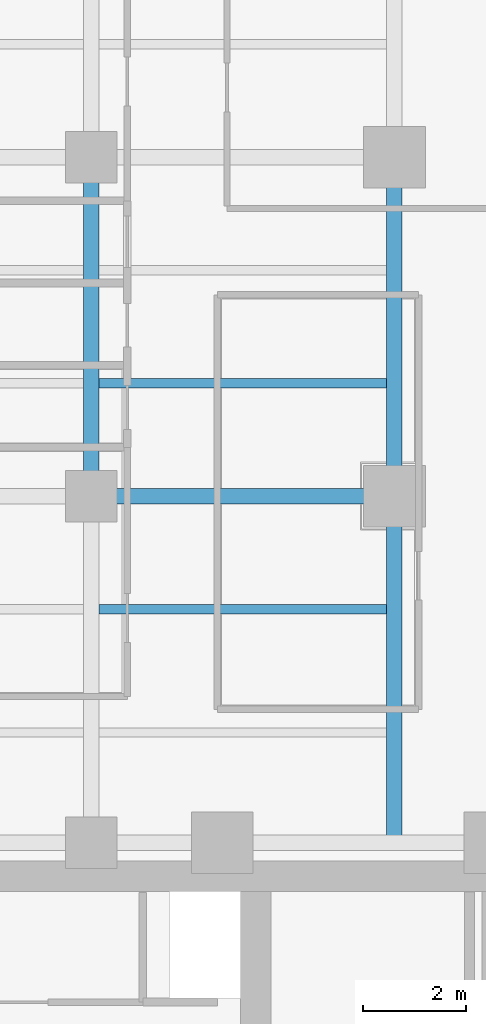
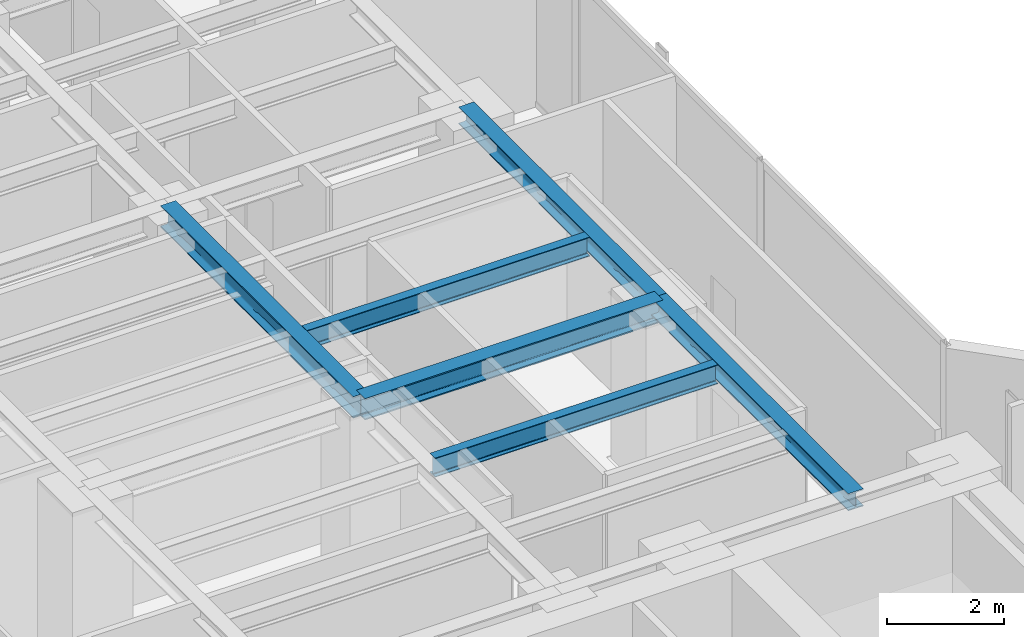
# One storey, part 8 of 24: 6 beams.
"""IFC4 building model written with IfcOpenShell, lengths in metres."""

from ifc_helpers import new_model, si_unit, direction, frame, origin, origin_2d, place, context, subcontext, project, spatial, i_section, extrude, material, material_profile, profile_set, type_object, element, save


model = new_model("IFC4")

# Units and contexts
model_context = context("Model", 3, precision=1e-05, world=origin(), true_north=direction((0.0, 1.0)))
body_context = subcontext(model_context, "Body", "Model", "MODEL_VIEW")
ifc_project = project(units=[si_unit("LENGTHUNIT", "METRE"), si_unit("AREAUNIT", "SQUARE_METRE"), si_unit("VOLUMEUNIT", "CUBIC_METRE"), si_unit("PLANEANGLEUNIT", "RADIAN"), si_unit("MASSUNIT", "GRAM", prefix="KILO")], contexts=[model_context])

# Site, building, storey
site_placement = place(None, origin())
site = spatial("IfcSite", under=ifc_project, at=site_placement, CompositionType="ELEMENT")
building_placement = place(site_placement, origin())
building = spatial("IfcBuilding", under=site, at=building_placement, Name="Kolvaren Waterfront Exchange", CompositionType="ELEMENT")
storey_placement = place(building_placement, frame((0.0, 0.0, 157.60009765625)))
storey = spatial("IfcBuildingStorey", under=building, at=storey_placement, Name="L40", CompositionType="ELEMENT", Elevation=157.60009765625)

# Beams
ifc_material = material(Name="Steel S355", Category="steel")
ifc_material_profile_1 = material_profile(ifc_material, i_section(OverallWidth=0.300048828125, OverallDepth=0.360107421875, WebThickness=0.012451171875, FlangeThickness=0.0224609375, FilletRadius=0.027099609375, at=origin_2d()), Name="HEB360")
ifc_profile_set_1 = profile_set([ifc_material_profile_1], Name="Steel S355")
beam_type_1 = type_object("IfcBeamType", Name="STR-BM-HEB360", PredefinedType="SPANDREL", material=ifc_profile_set_1)
beam_1_placement = place(storey_placement, frame((18.800048828125, 24.449951171875, 3.3798828125), z_axis=(0.0, 1.0, 0.0), x_axis=(-1.0, 0.0, 0.0)))
element("IfcBeam", 1, at=beam_1_placement, inside=storey, type_object=beam_type_1, Name="L40 north-arm edge beam 1", PredefinedType="SPANDREL", context=body_context, shape_type="SweptSolid", body=[
    extrude(i_section(OverallWidth=0.300048828125, OverallDepth=0.360107421875, WebThickness=0.012451171875, FlangeThickness=0.0224609375, FilletRadius=0.027099609375, at=origin_2d()), origin(), (0.0, 0.0, 1.0), 6.75),
])
beam_2_placement = place(storey_placement, frame((18.800048828125, 31.199951171875, 3.3798828125), z_axis=(0.0, 1.0, 0.0), x_axis=(-1.0, 0.0, 0.0)))
element("IfcBeam", 2, at=beam_2_placement, inside=storey, type_object=beam_type_1, Name="L40 north-arm edge beam 2", PredefinedType="SPANDREL", context=body_context, shape_type="SweptSolid", body=[
    extrude(i_section(OverallWidth=0.300048828125, OverallDepth=0.360107421875, WebThickness=0.012451171875, FlangeThickness=0.0224609375, FilletRadius=0.027099609375, at=origin_2d()), origin(), (0.0, 0.0, 1.0), 6.60009765625),
])
ifc_material_profile_2 = material_profile(ifc_material, i_section(OverallWidth=0.300048828125, OverallDepth=0.449951171875, WebThickness=0.013916015625, FlangeThickness=0.02587890625, FilletRadius=0.027099609375, at=origin_2d()), Name="HEB450")
ifc_profile_set_2 = profile_set([ifc_material_profile_2], Name="Steel S355")
beam_type_2 = type_object("IfcBeamType", Name="STR-BM-HEB450", PredefinedType="BEAM", material=ifc_profile_set_2)
beam_3_placement = place(storey_placement, frame((12.89990234375, 31.199951171875, 3.3349609375), z_axis=(1.0, 0.0, 0.0), x_axis=(0.0, 1.0, 0.0)))
element("IfcBeam", 3, at=beam_3_placement, inside=storey, type_object=beam_type_2, Name="L40 north-arm girder 2B", PredefinedType="BEAM", context=body_context, shape_type="SweptSolid", body=[
    extrude(i_section(OverallWidth=0.300048828125, OverallDepth=0.449951171875, WebThickness=0.013916015625, FlangeThickness=0.02587890625, FilletRadius=0.027099609375, at=origin_2d()), origin(), (0.0, 0.0, 1.0), 5.900146484375),
])
beam_4_placement = place(storey_placement, frame((12.89990234375, 31.199951171875, 3.3349609375), z_axis=(0.0, 1.0, 0.0), x_axis=(-1.0, 0.0, 0.0)))
element("IfcBeam", 4, at=beam_4_placement, inside=storey, type_object=beam_type_2, Name="L40 north-arm edge beam 2", PredefinedType="BEAM", context=body_context, shape_type="SweptSolid", body=[
    extrude(i_section(OverallWidth=0.300048828125, OverallDepth=0.449951171875, WebThickness=0.013916015625, FlangeThickness=0.02587890625, FilletRadius=0.027099609375, at=origin_2d()), origin(), (0.0, 0.0, 1.0), 6.60009765625),
])
ifc_material_profile_3 = material_profile(ifc_material, i_section(OverallWidth=0.179931640625, OverallDepth=0.39990234375, WebThickness=0.008544921875, FlangeThickness=0.013427734375, FilletRadius=0.02099609375, at=origin_2d()), Name="IPE400")
ifc_profile_set_3 = profile_set([ifc_material_profile_3], Name="Steel S355")
beam_type_3 = type_object("IfcBeamType", Name="STR-BM-IPE400", PredefinedType="JOIST", material=ifc_profile_set_3)
for number, where, z_axis, x_axis, name in (
    (5, (13.052001953125, 29.0, 3.35986328125), (1.0, 0.0, 0.0), (0.0, 1.0, 0.0), "L40 north-arm composite joist 2B"),
    (6, (13.052001953125, 33.39990234375, 3.35986328125), (1.0, 0.0, 0.0), (0.0, 1.0, 0.0), "L40 north-arm composite joist 3B"),
):
    element("IfcBeam", number, at=place(storey_placement, frame(where, z_axis=z_axis, x_axis=x_axis)), inside=storey, type_object=beam_type_3, Name=name, PredefinedType="JOIST", context=body_context, shape_type="SweptSolid", body=[
        extrude(i_section(OverallWidth=0.179931640625, OverallDepth=0.39990234375, WebThickness=0.008544921875, FlangeThickness=0.013427734375, FilletRadius=0.02099609375, at=origin_2d()), origin(), (0.0, 0.0, 1.0), 5.595947265625),
    ])

save(model, "model.ifc")
